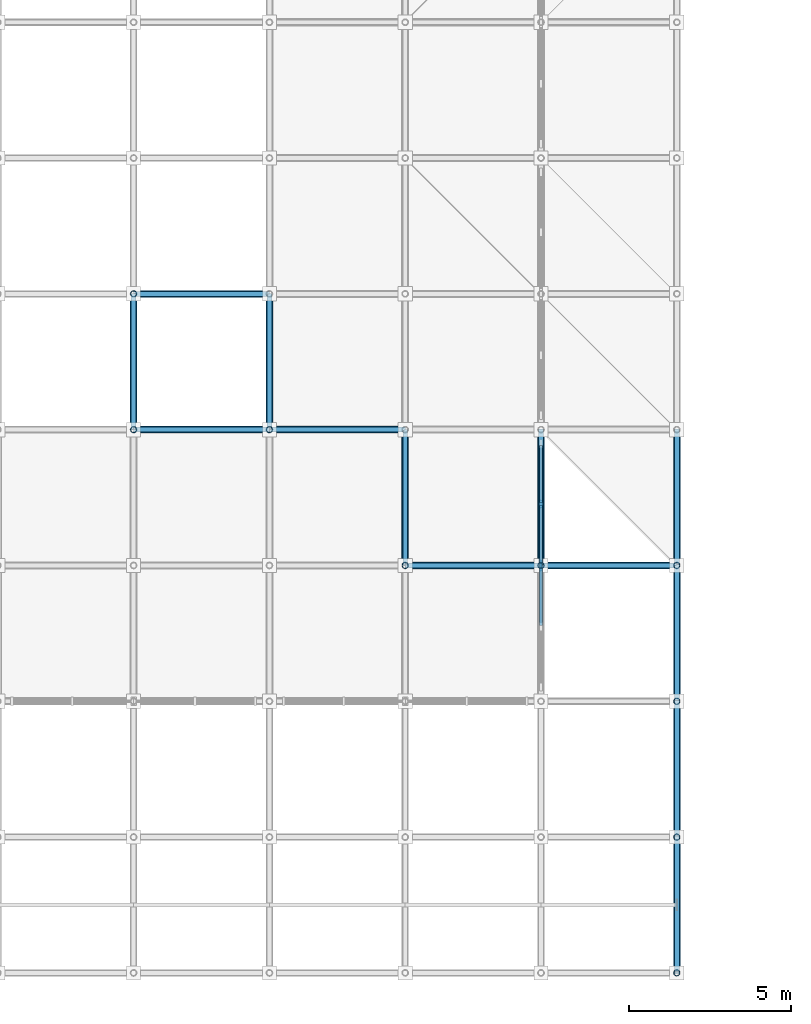
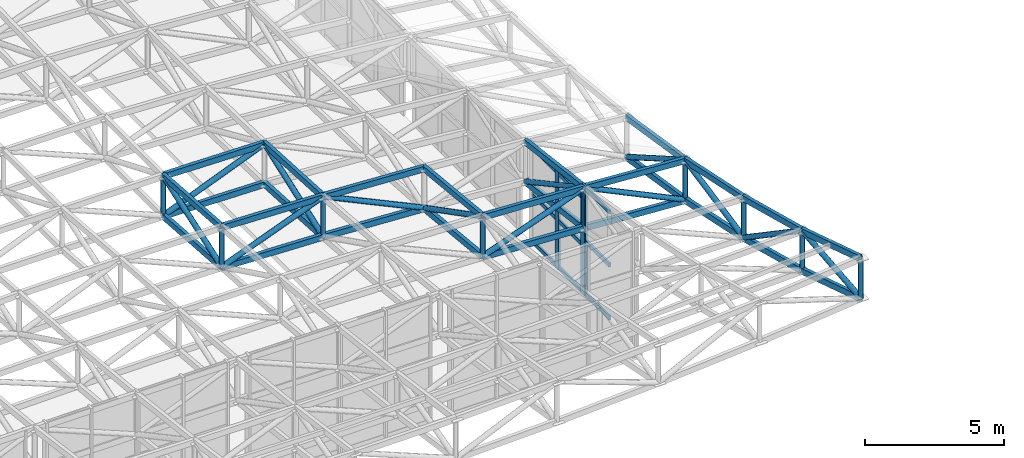
# One storey, part 23 of 132: 60 members, 2 elements without a shape of their own.
"""IFC4 building model written with IfcOpenShell, lengths in metres."""

from ifc_helpers import new_model, si_unit, direction, frame, origin, origin_2d, place, context, subcontext, project, spatial, rectangle, hollow_rectangle, hollow_circle, extrude, material, material_profile, profile_set, type_object, element, aggregate, save


model = new_model("IFC4")

# Units and contexts
model_context = context("Model", 3, precision=1e-05, world=origin(), true_north=direction((0.0, 1.0)))
body_context = subcontext(model_context, "Body", "Model", "MODEL_VIEW")
ifc_project = project(units=[si_unit("LENGTHUNIT", "METRE"), si_unit("AREAUNIT", "SQUARE_METRE"), si_unit("VOLUMEUNIT", "CUBIC_METRE"), si_unit("PLANEANGLEUNIT", "RADIAN"), si_unit("MASSUNIT", "GRAM", prefix="KILO")], contexts=[model_context])

# Site, building, storey
site_placement = place(None, origin())
site = spatial("IfcSite", under=ifc_project, at=site_placement, CompositionType="ELEMENT")
building_placement = place(site_placement, origin())
building = spatial("IfcBuilding", under=site, at=building_placement, Name="Cumbredor Promenade Congress Hotel", CompositionType="ELEMENT")
storey_placement = place(building_placement, frame((0.0, 0.0, 7.56005859375)))
storey = spatial("IfcBuildingStorey", under=building, at=storey_placement, Name="L02", CompositionType="ELEMENT", Elevation=7.56005859375)

# Curtain wall, member
ifc_material_1 = material(Name="Thermally broken anodized aluminium and low-E glass", Category="aluminium")
curtain_wall_type = type_object("IfcCurtainWallType", Name="Stepped Pavilion Clerestory Curtain Wall CW-06", PredefinedType="NOTDEFINED", material=ifc_material_1)
curtain_wall_1_placement = place(storey_placement, origin())
curtain_wall_1 = element("IfcCurtainWall", 1, at=curtain_wall_1_placement, inside=storey, type_object=curtain_wall_type, Name="Thermal Spa and Hydrotherapy Pavilion E Glazed Clerestory 1", PredefinedType="NOTDEFINED")
ifc_material_2 = material(Name="Thermally broken anodized aluminium", Category="aluminium")
ifc_material_profile_1 = material_profile(ifc_material_2, rectangle(XDim=0.0849609375, YDim=0.260009765625, at=origin_2d()), Name="ALU MULLION CLERESTORY 85x260")
ifc_profile_set_1 = profile_set([ifc_material_profile_1], Name="Thermally broken anodized aluminium")
member_type_1 = type_object("IfcMemberType", Name="Curtain Wall Mullion ML-04", PredefinedType="MULLION", material=ifc_profile_set_1)
member_1_placement = place(storey_placement, frame((109.199951171875, 12.56005859375, -0.01806640625), z_axis=(0.0, 0.0, 1.0), x_axis=(1.0, 0.0, 0.0)))
member_1 = element("IfcMember", 2, at=member_1_placement, type_object=member_type_1, Name="Thermal Spa and Hydrotherapy Pavilion E Glazed Clerestory 1 Mullion 3", PredefinedType="MULLION", context=body_context, shape_type="SweptSolid", body=[
    extrude(rectangle(XDim=0.0849609375, YDim=0.260009765625, at=origin_2d()), origin(), (0.0, 0.0, 1.0), 4.845947265625),
])

# Curtain wall, members
curtain_wall_2_placement = place(storey_placement, origin())
curtain_wall_2 = element("IfcCurtainWall", 3, at=curtain_wall_2_placement, inside=storey, type_object=curtain_wall_type, Name="Thermal Spa and Hydrotherapy Pavilion E Glazed Clerestory 2", PredefinedType="NOTDEFINED")
member_2_placement = place(storey_placement, frame((109.199951171875, 12.639892578125, -0.01806640625), z_axis=(0.0, 0.0, 1.0), x_axis=(1.0, 0.0, 0.0)))
member_2 = element("IfcMember", 4, at=member_2_placement, type_object=member_type_1, Name="Thermal Spa and Hydrotherapy Pavilion E Glazed Clerestory 2 Mullion 1", PredefinedType="MULLION", context=body_context, shape_type="SweptSolid", body=[
    extrude(rectangle(XDim=0.0849609375, YDim=0.260009765625, at=origin_2d()), origin(), (0.0, 0.0, 1.0), 4.318359375),
])
member_3_placement = place(storey_placement, frame((109.199951171875, 14.5, -0.01806640625), z_axis=(0.0, 0.0, 1.0), x_axis=(1.0, 0.0, 0.0)))
member_3 = element("IfcMember", 5, at=member_3_placement, type_object=member_type_1, Name="Thermal Spa and Hydrotherapy Pavilion E Glazed Clerestory 2 Mullion 2", PredefinedType="MULLION", context=body_context, shape_type="SweptSolid", body=[
    extrude(rectangle(XDim=0.0849609375, YDim=0.260009765625, at=origin_2d()), origin(), (0.0, 0.0, 1.0), 4.318359375),
])

# Member
ifc_material_profile_2 = material_profile(ifc_material_2, rectangle(XDim=0.080078125, YDim=0.179931640625, at=origin_2d()), Name="ALU TRANSOM 80x180")
ifc_profile_set_2 = profile_set([ifc_material_profile_2], Name="Thermally broken anodized aluminium")
member_type_2 = type_object("IfcMemberType", Name="Curtain Wall Transom TR-03", PredefinedType="USERDEFINED", material=ifc_profile_set_2)
member_4_placement = place(storey_placement, frame((109.199951171875, 10.742431640625, 0.079833984375), z_axis=(0.0, 1.0, 0.0), x_axis=(-1.0, 0.0, 0.0)))
member_4 = element("IfcMember", 6, at=member_4_placement, type_object=member_type_2, Name="Thermal Spa and Hydrotherapy Pavilion E Glazed Clerestory 1 Transom 2.1", ObjectType="TRANSOM", PredefinedType="USERDEFINED", context=body_context, shape_type="SweptSolid", body=[
    extrude(rectangle(XDim=0.080078125, YDim=0.179931640625, at=origin_2d()), origin(), (0.0, 0.0, 1.0), 1.775146484375),
])

member_5_placement = place(storey_placement, frame((109.199951171875, 10.742431640625, 2.39990234375), z_axis=(0.0, 1.0, 0.0), x_axis=(-1.0, 0.0, 0.0)))
member_5 = element("IfcMember", 7, at=member_5_placement, type_object=member_type_2, Name="Thermal Spa and Hydrotherapy Pavilion E Glazed Clerestory 1 Transom 2.2", ObjectType="TRANSOM", PredefinedType="USERDEFINED", context=body_context, shape_type="SweptSolid", body=[
    extrude(rectangle(XDim=0.080078125, YDim=0.179931640625, at=origin_2d()), origin(), (0.0, 0.0, 1.0), 1.775146484375),
])

member_6_placement = place(storey_placement, frame((109.199951171875, 10.742431640625, 4.72998046875), z_axis=(0.0, 1.0, 0.0), x_axis=(-1.0, 0.0, 0.0)))
member_6 = element("IfcMember", 8, at=member_6_placement, type_object=member_type_2, Name="Thermal Spa and Hydrotherapy Pavilion E Glazed Clerestory 1 Transom 2.3", ObjectType="TRANSOM", PredefinedType="USERDEFINED", context=body_context, shape_type="SweptSolid", body=[
    extrude(rectangle(XDim=0.080078125, YDim=0.179931640625, at=origin_2d()), origin(), (0.0, 0.0, 1.0), 1.775146484375),
])

aggregate(curtain_wall_1, [member_1, member_4, member_5, member_6])

member_7_placement = place(storey_placement, frame((109.199951171875, 12.6826171875, 0.079833984375), z_axis=(0.0, 1.0, 0.0), x_axis=(-1.0, 0.0, 0.0)))
member_7 = element("IfcMember", 9, at=member_7_placement, type_object=member_type_2, Name="Thermal Spa and Hydrotherapy Pavilion E Glazed Clerestory 2 Transom 1.1", ObjectType="TRANSOM", PredefinedType="USERDEFINED", context=body_context, shape_type="SweptSolid", body=[
    extrude(rectangle(XDim=0.080078125, YDim=0.179931640625, at=origin_2d()), origin(), (0.0, 0.0, 1.0), 1.77490234375),
])

member_8_placement = place(storey_placement, frame((109.199951171875, 12.6826171875, 2.139892578125), z_axis=(0.0, 1.0, 0.0), x_axis=(-1.0, 0.0, 0.0)))
member_8 = element("IfcMember", 10, at=member_8_placement, type_object=member_type_2, Name="Thermal Spa and Hydrotherapy Pavilion E Glazed Clerestory 2 Transom 1.2", ObjectType="TRANSOM", PredefinedType="USERDEFINED", context=body_context, shape_type="SweptSolid", body=[
    extrude(rectangle(XDim=0.080078125, YDim=0.179931640625, at=origin_2d()), origin(), (0.0, 0.0, 1.0), 1.77490234375),
])

member_9_placement = place(storey_placement, frame((109.199951171875, 12.6826171875, 4.199951171875), z_axis=(0.0, 1.0, 0.0), x_axis=(-1.0, 0.0, 0.0)))
member_9 = element("IfcMember", 11, at=member_9_placement, type_object=member_type_2, Name="Thermal Spa and Hydrotherapy Pavilion E Glazed Clerestory 2 Transom 1.3", ObjectType="TRANSOM", PredefinedType="USERDEFINED", context=body_context, shape_type="SweptSolid", body=[
    extrude(rectangle(XDim=0.080078125, YDim=0.179931640625, at=origin_2d()), origin(), (0.0, 0.0, 1.0), 1.77490234375),
])

member_10_placement = place(storey_placement, frame((109.199951171875, 14.54248046875, 0.079833984375), z_axis=(0.0, 1.0, 0.0), x_axis=(-1.0, 0.0, 0.0)))
member_10 = element("IfcMember", 12, at=member_10_placement, type_object=member_type_2, Name="Thermal Spa and Hydrotherapy Pavilion E Glazed Clerestory 2 Transom 2.1", ObjectType="TRANSOM", PredefinedType="USERDEFINED", context=body_context, shape_type="SweptSolid", body=[
    extrude(rectangle(XDim=0.080078125, YDim=0.179931640625, at=origin_2d()), origin(), (0.0, 0.0, 1.0), 1.77490234375),
])

member_11_placement = place(storey_placement, frame((109.199951171875, 14.54248046875, 2.139892578125), z_axis=(0.0, 1.0, 0.0), x_axis=(-1.0, 0.0, 0.0)))
member_11 = element("IfcMember", 13, at=member_11_placement, type_object=member_type_2, Name="Thermal Spa and Hydrotherapy Pavilion E Glazed Clerestory 2 Transom 2.2", ObjectType="TRANSOM", PredefinedType="USERDEFINED", context=body_context, shape_type="SweptSolid", body=[
    extrude(rectangle(XDim=0.080078125, YDim=0.179931640625, at=origin_2d()), origin(), (0.0, 0.0, 1.0), 1.77490234375),
])

member_12_placement = place(storey_placement, frame((109.199951171875, 14.54248046875, 4.199951171875), z_axis=(0.0, 1.0, 0.0), x_axis=(-1.0, 0.0, 0.0)))
member_12 = element("IfcMember", 14, at=member_12_placement, type_object=member_type_2, Name="Thermal Spa and Hydrotherapy Pavilion E Glazed Clerestory 2 Transom 2.3", ObjectType="TRANSOM", PredefinedType="USERDEFINED", context=body_context, shape_type="SweptSolid", body=[
    extrude(rectangle(XDim=0.080078125, YDim=0.179931640625, at=origin_2d()), origin(), (0.0, 0.0, 1.0), 1.77490234375),
])

aggregate(curtain_wall_2, [member_2, member_3, member_7, member_8, member_9, member_10, member_11, member_12])

# Members
ifc_material_3 = material(Name="Steel ASTM A500 Grade C", Category="steel")
ifc_material_profile_3 = material_profile(ifc_material_3, hollow_rectangle(XDim=0.14990234375, YDim=0.25, WallThickness=0.012451171875, at=origin_2d()), Name="HSS 250x150x12.5")
ifc_profile_set_3 = profile_set([ifc_material_profile_3], Name="Steel ASTM A500 Grade C")
member_type_3 = type_object("IfcMemberType", Name="Spa Roof Space Frame Chord", PredefinedType="CHORD", material=ifc_profile_set_3)
for number, where, z_axis, x_axis, name in (
    (15, (105.0, 12.60009765625, 4.8798828125), (0.99883532584, 0.0, -0.048249267905), (0.0, 1.0, 0.0), "Thermal Spa and Hydrotherapy Pavilion X Top Chord 9.4"),
    (16, (105.0, 12.60009765625, 3.1298828125), (0.99883532584, 0.0, -0.048249267905), (0.0, 1.0, 0.0), "Thermal Spa and Hydrotherapy Pavilion X Bottom Chord 9.4"),
):
    element("IfcMember", number, at=place(storey_placement, frame(where, z_axis=z_axis, x_axis=x_axis)), inside=storey, type_object=member_type_3, Name=name, PredefinedType="CHORD", context=body_context, shape_type="SweptSolid", body=[
        extrude(hollow_rectangle(XDim=0.14990234375, YDim=0.25, WallThickness=0.012451171875, at=origin_2d()), origin(), (0.0, 0.0, 1.0), 4.204833984375),
    ])
for number, where, z_axis, x_axis, name in (
    (17, (109.199951171875, 12.60009765625, 4.677001953125), (0.998114167579, 0.0, -0.061384920613), (0.0, 1.0, 0.0), "Thermal Spa and Hydrotherapy Pavilion X Top Chord 10.4"),
    (18, (109.199951171875, 12.60009765625, 2.927001953125), (0.998114167579, 0.0, -0.061384920613), (0.0, 1.0, 0.0), "Thermal Spa and Hydrotherapy Pavilion X Bottom Chord 10.4"),
):
    element("IfcMember", number, at=place(storey_placement, frame(where, z_axis=z_axis, x_axis=x_axis)), inside=storey, type_object=member_type_3, Name=name, PredefinedType="CHORD", context=body_context, shape_type="SweptSolid", body=[
        extrude(hollow_rectangle(XDim=0.14990234375, YDim=0.25, WallThickness=0.012451171875, at=origin_2d()), origin(), (0.0, 0.0, 1.0), 4.2080078125),
    ])
for number, where, z_axis, x_axis, name in (
    (19, (96.60009765625, 16.800048828125, 4.812744140625), (0.999502220604, 0.0, -0.031548550008), (0.0, 1.0, 0.0), "Thermal Spa and Hydrotherapy Pavilion X Top Chord 7.5"),
    (20, (96.60009765625, 16.800048828125, 3.062744140625), (0.999502220604, 0.0, -0.031548550008), (0.0, 1.0, 0.0), "Thermal Spa and Hydrotherapy Pavilion X Bottom Chord 7.5"),
):
    element("IfcMember", number, at=place(storey_placement, frame(where, z_axis=z_axis, x_axis=x_axis)), inside=storey, type_object=member_type_3, Name=name, PredefinedType="CHORD", context=body_context, shape_type="SweptSolid", body=[
        extrude(hollow_rectangle(XDim=0.14990234375, YDim=0.25, WallThickness=0.012451171875, at=origin_2d()), origin(), (0.0, 0.0, 1.0), 4.2021484375),
    ])
for number, where, z_axis, x_axis, name in (
    (21, (100.800048828125, 16.800048828125, 4.68017578125), (0.998616064852, 0.0, -0.052592347541), (0.0, 1.0, 0.0), "Thermal Spa and Hydrotherapy Pavilion X Top Chord 8.5"),
    (22, (100.800048828125, 16.800048828125, 2.93017578125), (0.998616064852, 0.0, -0.052592347541), (0.0, 1.0, 0.0), "Thermal Spa and Hydrotherapy Pavilion X Bottom Chord 8.5"),
):
    element("IfcMember", number, at=place(storey_placement, frame(where, z_axis=z_axis, x_axis=x_axis)), inside=storey, type_object=member_type_3, Name=name, PredefinedType="CHORD", context=body_context, shape_type="SweptSolid", body=[
        extrude(hollow_rectangle(XDim=0.14990234375, YDim=0.25, WallThickness=0.012451171875, at=origin_2d()), origin(), (0.0, 0.0, 1.0), 4.205810546875),
    ])
for number, where, z_axis, x_axis, name in (
    (23, (96.60009765625, 21.0, 4.513671875), (0.999886685019, 0.0, -0.015053807558), (0.0, 1.0, 0.0), "Thermal Spa and Hydrotherapy Pavilion X Top Chord 7.6"),
    (24, (96.60009765625, 21.0, 2.763671875), (0.999886685019, 0.0, -0.015053807558), (0.0, 1.0, 0.0), "Thermal Spa and Hydrotherapy Pavilion X Bottom Chord 7.6"),
):
    element("IfcMember", number, at=place(storey_placement, frame(where, z_axis=z_axis, x_axis=x_axis)), inside=storey, type_object=member_type_3, Name=name, PredefinedType="CHORD", context=body_context, shape_type="SweptSolid", body=[
        extrude(hollow_rectangle(XDim=0.14990234375, YDim=0.25, WallThickness=0.012451171875, at=origin_2d()), origin(), (0.0, 0.0, 1.0), 4.200439453125),
    ])
for number, where, z_axis, x_axis, name in (
    (25, (96.60009765625, 16.800048828125, 4.812744140625), (0.0, 0.997474275296, -0.07102865705), (-1.0, 0.0, 0.0), "Thermal Spa and Hydrotherapy Pavilion Y Top Chord 7.5"),
    (26, (96.60009765625, 16.800048828125, 3.062744140625), (0.0, 0.997474275296, -0.07102865705), (-1.0, 0.0, 0.0), "Thermal Spa and Hydrotherapy Pavilion Y Bottom Chord 7.5"),
):
    element("IfcMember", number, at=place(storey_placement, frame(where, z_axis=z_axis, x_axis=x_axis)), inside=storey, type_object=member_type_3, Name=name, PredefinedType="CHORD", context=body_context, shape_type="SweptSolid", body=[
        extrude(hollow_rectangle(XDim=0.14990234375, YDim=0.25, WallThickness=0.012451171875, at=origin_2d()), origin(), (0.0, 0.0, 1.0), 4.210693359375),
    ])
for number, where, z_axis, x_axis, name in (
    (27, (100.800048828125, 16.800048828125, 4.68017578125), (0.0, 0.998507316855, -0.054618112257), (-1.0, 0.0, 0.0), "Thermal Spa and Hydrotherapy Pavilion Y Top Chord 8.5"),
    (28, (100.800048828125, 16.800048828125, 2.93017578125), (0.0, 0.998507316855, -0.054618112257), (-1.0, 0.0, 0.0), "Thermal Spa and Hydrotherapy Pavilion Y Bottom Chord 8.5"),
):
    element("IfcMember", number, at=place(storey_placement, frame(where, z_axis=z_axis, x_axis=x_axis)), inside=storey, type_object=member_type_3, Name=name, PredefinedType="CHORD", context=body_context, shape_type="SweptSolid", body=[
        extrude(hollow_rectangle(XDim=0.14990234375, YDim=0.25, WallThickness=0.012451171875, at=origin_2d()), origin(), (0.0, 0.0, 1.0), 4.206298828125),
    ])
for number, where, z_axis, x_axis, name in (
    (29, (105.0, 12.60009765625, 4.8798828125), (0.0, 0.995015978857, -0.099715604694), (-1.0, 0.0, 0.0), "Thermal Spa and Hydrotherapy Pavilion Y Top Chord 9.4"),
    (30, (105.0, 12.60009765625, 3.1298828125), (0.0, 0.995015978857, -0.099715604694), (-1.0, 0.0, 0.0), "Thermal Spa and Hydrotherapy Pavilion Y Bottom Chord 9.4"),
):
    element("IfcMember", number, at=place(storey_placement, frame(where, z_axis=z_axis, x_axis=x_axis)), inside=storey, type_object=member_type_3, Name=name, PredefinedType="CHORD", context=body_context, shape_type="SweptSolid", body=[
        extrude(hollow_rectangle(XDim=0.14990234375, YDim=0.25, WallThickness=0.012451171875, at=origin_2d()), origin(), (0.0, 0.0, 1.0), 4.220947265625),
    ])
for number, where, z_axis, x_axis, name in (
    (31, (109.199951171875, 12.60009765625, 4.677001953125), (0.0, 0.992202270646, -0.124638092592), (-1.0, 0.0, 0.0), "Thermal Spa and Hydrotherapy Pavilion Y Top Chord 10.4"),
    (32, (109.199951171875, 12.60009765625, 2.927001953125), (0.0, 0.992202270646, -0.124638092592), (-1.0, 0.0, 0.0), "Thermal Spa and Hydrotherapy Pavilion Y Bottom Chord 10.4"),
):
    element("IfcMember", number, at=place(storey_placement, frame(where, z_axis=z_axis, x_axis=x_axis)), inside=storey, type_object=member_type_3, Name=name, PredefinedType="CHORD", context=body_context, shape_type="SweptSolid", body=[
        extrude(hollow_rectangle(XDim=0.14990234375, YDim=0.25, WallThickness=0.012451171875, at=origin_2d()), origin(), (0.0, 0.0, 1.0), 4.23291015625),
    ])
for number, where, z_axis, x_axis, name in (
    (33, (113.39990234375, 0.0, 7.749755859375), (0.0, 0.953016681797, -0.302917817594), (-1.0, 0.0, 0.0), "Thermal Spa and Hydrotherapy Pavilion Y Top Chord 11.1"),
    (34, (113.39990234375, 0.0, 5.999755859375), (0.0, 0.953016681797, -0.302917817594), (-1.0, 0.0, 0.0), "Thermal Spa and Hydrotherapy Pavilion Y Bottom Chord 11.1"),
):
    element("IfcMember", number, at=place(storey_placement, frame(where, z_axis=z_axis, x_axis=x_axis)), inside=storey, type_object=member_type_3, Name=name, PredefinedType="CHORD", context=body_context, shape_type="SweptSolid", body=[
        extrude(hollow_rectangle(XDim=0.14990234375, YDim=0.25, WallThickness=0.012451171875, at=origin_2d()), origin(), (0.0, 0.0, 1.0), 4.406982421875),
    ])
for number, where, z_axis, x_axis, name in (
    (35, (113.39990234375, 4.199951171875, 6.414794921875), (0.0, 0.966882060335, -0.255223591), (-1.0, 0.0, 0.0), "Thermal Spa and Hydrotherapy Pavilion Y Top Chord 11.2"),
    (36, (113.39990234375, 4.199951171875, 4.664794921875), (0.0, 0.966882060335, -0.255223591), (-1.0, 0.0, 0.0), "Thermal Spa and Hydrotherapy Pavilion Y Bottom Chord 11.2"),
):
    element("IfcMember", number, at=place(storey_placement, frame(where, z_axis=z_axis, x_axis=x_axis)), inside=storey, type_object=member_type_3, Name=name, PredefinedType="CHORD", context=body_context, shape_type="SweptSolid", body=[
        extrude(hollow_rectangle(XDim=0.14990234375, YDim=0.25, WallThickness=0.012451171875, at=origin_2d()), origin(), (0.0, 0.0, 1.0), 4.34375),
    ])
for number, where, z_axis, x_axis, name in (
    (37, (113.39990234375, 8.39990234375, 5.30615234375), (0.0, 0.978399278132, -0.206724097652), (-1.0, 0.0, 0.0), "Thermal Spa and Hydrotherapy Pavilion Y Top Chord 11.3"),
    (38, (113.39990234375, 8.39990234375, 3.55615234375), (0.0, 0.978399278132, -0.206724097652), (-1.0, 0.0, 0.0), "Thermal Spa and Hydrotherapy Pavilion Y Bottom Chord 11.3"),
):
    element("IfcMember", number, at=place(storey_placement, frame(where, z_axis=z_axis, x_axis=x_axis)), inside=storey, type_object=member_type_3, Name=name, PredefinedType="CHORD", context=body_context, shape_type="SweptSolid", body=[
        extrude(hollow_rectangle(XDim=0.14990234375, YDim=0.25, WallThickness=0.012451171875, at=origin_2d()), origin(), (0.0, 0.0, 1.0), 4.29296875),
    ])
for number, where, z_axis, x_axis, name in (
    (39, (113.39990234375, 12.60009765625, 4.418701171875), (0.0, 0.987676695168, -0.156507973669), (-1.0, 0.0, 0.0), "Thermal Spa and Hydrotherapy Pavilion Y Top Chord 11.4"),
    (40, (113.39990234375, 12.60009765625, 2.668701171875), (0.0, 0.987676695168, -0.156507973669), (-1.0, 0.0, 0.0), "Thermal Spa and Hydrotherapy Pavilion Y Bottom Chord 11.4"),
):
    element("IfcMember", number, at=place(storey_placement, frame(where, z_axis=z_axis, x_axis=x_axis)), inside=storey, type_object=member_type_3, Name=name, PredefinedType="CHORD", context=body_context, shape_type="SweptSolid", body=[
        extrude(hollow_rectangle(XDim=0.14990234375, YDim=0.25, WallThickness=0.012451171875, at=origin_2d()), origin(), (0.0, 0.0, 1.0), 4.25244140625),
    ])
ifc_material_profile_4 = material_profile(ifc_material_3, hollow_circle(Radius=0.109619140625, WallThickness=0.012451171875, at=origin_2d()), Name="CHS 219.1x12.5")
ifc_profile_set_4 = profile_set([ifc_material_profile_4], Name="Steel ASTM A500 Grade C")
member_type_4 = type_object("IfcMemberType", Name="Space Frame Web Diagonal D1", PredefinedType="BRACE", material=ifc_profile_set_4)
member_13_placement = place(storey_placement, frame((105.0, 12.60009765625, 3.1298828125), z_axis=(0.938359878721, 0.0, 0.34565985883), x_axis=(0.0, 1.0, 0.0)))
element("IfcMember", 41, at=member_13_placement, inside=storey, type_object=member_type_4, Name="Thermal Spa and Hydrotherapy Pavilion X Web Diagonal 9.4", PredefinedType="BRACE", context=body_context, shape_type="SweptSolid", body=[
    extrude(hollow_circle(Radius=0.109619140625, WallThickness=0.012451171875, at=origin_2d()), origin(), (0.0, 0.0, 1.0), 4.475830078125),
])
member_14_placement = place(storey_placement, frame((109.199951171875, 12.60009765625, 4.677001953125), z_axis=(0.902165281289, 0.0, -0.431390548386), x_axis=(0.0, 1.0, 0.0)))
element("IfcMember", 42, at=member_14_placement, inside=storey, type_object=member_type_4, Name="Thermal Spa and Hydrotherapy Pavilion X Web Diagonal 10.4", PredefinedType="BRACE", context=body_context, shape_type="SweptSolid", body=[
    extrude(hollow_circle(Radius=0.109619140625, WallThickness=0.012451171875, at=origin_2d()), origin(), (0.0, 0.0, 1.0), 4.655517578125),
])
member_15_placement = place(storey_placement, frame((96.60009765625, 16.800048828125, 3.062744140625), z_axis=(0.93319173071, 0.0, 0.359378899957), x_axis=(0.0, 1.0, 0.0)))
element("IfcMember", 43, at=member_15_placement, inside=storey, type_object=member_type_4, Name="Thermal Spa and Hydrotherapy Pavilion X Web Diagonal 7.5", PredefinedType="BRACE", context=body_context, shape_type="SweptSolid", body=[
    extrude(hollow_circle(Radius=0.109619140625, WallThickness=0.012451171875, at=origin_2d()), origin(), (0.0, 0.0, 1.0), 4.500732421875),
])
member_16_placement = place(storey_placement, frame((100.800048828125, 16.800048828125, 4.68017578125), z_axis=(0.905254705421, 0.0, -0.424869295563), x_axis=(0.0, 1.0, 0.0)))
element("IfcMember", 44, at=member_16_placement, inside=storey, type_object=member_type_4, Name="Thermal Spa and Hydrotherapy Pavilion X Web Diagonal 8.5", PredefinedType="BRACE", context=body_context, shape_type="SweptSolid", body=[
    extrude(hollow_circle(Radius=0.109619140625, WallThickness=0.012451171875, at=origin_2d()), origin(), (0.0, 0.0, 1.0), 4.639404296875),
])
member_17_placement = place(storey_placement, frame((96.60009765625, 21.0, 2.763671875), z_axis=(0.927958694838, 0.0, 0.372683056597), x_axis=(0.0, 1.0, 0.0)))
element("IfcMember", 45, at=member_17_placement, inside=storey, type_object=member_type_4, Name="Thermal Spa and Hydrotherapy Pavilion X Web Diagonal 7.6", PredefinedType="BRACE", context=body_context, shape_type="SweptSolid", body=[
    extrude(hollow_circle(Radius=0.109619140625, WallThickness=0.012451171875, at=origin_2d()), origin(), (0.0, 0.0, 1.0), 4.526123046875),
])
member_18_placement = place(storey_placement, frame((96.60009765625, 16.800048828125, 3.062744140625), z_axis=(0.0, 0.945187739001, 0.326527392483), x_axis=(-1.0, 0.0, 0.0)))
element("IfcMember", 46, at=member_18_placement, inside=storey, type_object=member_type_4, Name="Thermal Spa and Hydrotherapy Pavilion Y Web Diagonal 7.5", PredefinedType="BRACE", context=body_context, shape_type="SweptSolid", body=[
    extrude(hollow_circle(Radius=0.109619140625, WallThickness=0.012451171875, at=origin_2d()), origin(), (0.0, 0.0, 1.0), 4.443603515625),
])
member_19_placement = place(storey_placement, frame((100.800048828125, 16.800048828125, 2.93017578125), z_axis=(0.0, 0.940295107968, 0.340360264914), x_axis=(-1.0, 0.0, 0.0)))
element("IfcMember", 47, at=member_19_placement, inside=storey, type_object=member_type_4, Name="Thermal Spa and Hydrotherapy Pavilion Y Web Diagonal 8.5", PredefinedType="BRACE", context=body_context, shape_type="SweptSolid", body=[
    extrude(hollow_circle(Radius=0.109619140625, WallThickness=0.012451171875, at=origin_2d()), origin(), (0.0, 0.0, 1.0), 4.466552734375),
])
member_20_placement = place(storey_placement, frame((105.0, 12.60009765625, 4.8798828125), z_axis=(0.0, 0.888346221506, -0.459174248772), x_axis=(-1.0, 0.0, 0.0)))
element("IfcMember", 48, at=member_20_placement, inside=storey, type_object=member_type_4, Name="Thermal Spa and Hydrotherapy Pavilion Y Web Diagonal 9.4", PredefinedType="BRACE", context=body_context, shape_type="SweptSolid", body=[
    extrude(hollow_circle(Radius=0.109619140625, WallThickness=0.012451171875, at=origin_2d()), origin(), (0.0, 0.0, 1.0), 4.727783203125),
])
member_21_placement = place(storey_placement, frame((109.199951171875, 12.60009765625, 4.677001953125), z_axis=(0.0, 0.879062706315, -0.476706155159), x_axis=(-1.0, 0.0, 0.0)))
element("IfcMember", 49, at=member_21_placement, inside=storey, type_object=member_type_4, Name="Thermal Spa and Hydrotherapy Pavilion Y Web Diagonal 10.4", PredefinedType="BRACE", context=body_context, shape_type="SweptSolid", body=[
    extrude(hollow_circle(Radius=0.109619140625, WallThickness=0.012451171875, at=origin_2d()), origin(), (0.0, 0.0, 1.0), 4.77783203125),
])
member_22_placement = place(storey_placement, frame((113.39990234375, 0.0, 5.999755859375), z_axis=(0.0, 0.995152778935, 0.098340971004), x_axis=(-1.0, 0.0, 0.0)))
element("IfcMember", 50, at=member_22_placement, inside=storey, type_object=member_type_4, Name="Thermal Spa and Hydrotherapy Pavilion Y Web Diagonal 11.1", PredefinedType="BRACE", context=body_context, shape_type="SweptSolid", body=[
    extrude(hollow_circle(Radius=0.109619140625, WallThickness=0.012451171875, at=origin_2d()), origin(), (0.0, 0.0, 1.0), 4.220458984375),
])
member_23_placement = place(storey_placement, frame((113.39990234375, 4.199951171875, 6.414794921875), z_axis=(0.0, 0.826681524464, -0.56267011393), x_axis=(-1.0, 0.0, 0.0)))
element("IfcMember", 51, at=member_23_placement, inside=storey, type_object=member_type_4, Name="Thermal Spa and Hydrotherapy Pavilion Y Web Diagonal 11.2", PredefinedType="BRACE", context=body_context, shape_type="SweptSolid", body=[
    extrude(hollow_circle(Radius=0.109619140625, WallThickness=0.012451171875, at=origin_2d()), origin(), (0.0, 0.0, 1.0), 5.08056640625),
])
member_24_placement = place(storey_placement, frame((113.39990234375, 8.39990234375, 3.55615234375), z_axis=(0.0, 0.979558132164, 0.201161292777), x_axis=(-1.0, 0.0, 0.0)))
element("IfcMember", 52, at=member_24_placement, inside=storey, type_object=member_type_4, Name="Thermal Spa and Hydrotherapy Pavilion Y Web Diagonal 11.3", PredefinedType="BRACE", context=body_context, shape_type="SweptSolid", body=[
    extrude(hollow_circle(Radius=0.109619140625, WallThickness=0.012451171875, at=origin_2d()), origin(), (0.0, 0.0, 1.0), 4.287841796875),
])
member_25_placement = place(storey_placement, frame((113.39990234375, 12.60009765625, 4.418701171875), z_axis=(0.0, 0.866856760976, -0.498557274493), x_axis=(-1.0, 0.0, 0.0)))
element("IfcMember", 53, at=member_25_placement, inside=storey, type_object=member_type_4, Name="Thermal Spa and Hydrotherapy Pavilion Y Web Diagonal 11.4", PredefinedType="BRACE", context=body_context, shape_type="SweptSolid", body=[
    extrude(hollow_circle(Radius=0.109619140625, WallThickness=0.012451171875, at=origin_2d()), origin(), (0.0, 0.0, 1.0), 4.844970703125),
])
ifc_material_profile_5 = material_profile(ifc_material_3, hollow_circle(Radius=0.096923828125, WallThickness=0.010009765625, at=origin_2d()), Name="CHS 193.7x10")
ifc_profile_set_5 = profile_set([ifc_material_profile_5], Name="Steel ASTM A500 Grade C")
member_type_5 = type_object("IfcMemberType", Name="Space Frame Web Post P1", PredefinedType="BRACE", material=ifc_profile_set_5)
for number, where, z_axis, x_axis, name in (
    (54, (96.60009765625, 16.800048828125, 3.062744140625), (0.0, 0.0, 1.0), (1.0, 0.0, 0.0), "Thermal Spa and Hydrotherapy Pavilion Space Frame Web Post 7.5"),
    (55, (96.60009765625, 21.0, 2.763671875), (0.0, 0.0, 1.0), (1.0, 0.0, 0.0), "Thermal Spa and Hydrotherapy Pavilion Space Frame Web Post 7.6"),
    (56, (100.800048828125, 16.800048828125, 2.93017578125), (0.0, 0.0, 1.0), (1.0, 0.0, 0.0), "Thermal Spa and Hydrotherapy Pavilion Space Frame Web Post 8.5"),
    (57, (105.0, 12.60009765625, 3.1298828125), (0.0, 0.0, 1.0), (1.0, 0.0, 0.0), "Thermal Spa and Hydrotherapy Pavilion Space Frame Web Post 9.4"),
    (58, (109.199951171875, 12.60009765625, 2.927001953125), (0.0, 0.0, 1.0), (1.0, 0.0, 0.0), "Thermal Spa and Hydrotherapy Pavilion Space Frame Web Post 10.4"),
    (59, (113.39990234375, 0.0, 5.999755859375), (0.0, 0.0, 1.0), (1.0, 0.0, 0.0), "Thermal Spa and Hydrotherapy Pavilion Space Frame Web Post 11.1"),
    (60, (113.39990234375, 4.199951171875, 4.664794921875), (0.0, 0.0, 1.0), (1.0, 0.0, 0.0), "Thermal Spa and Hydrotherapy Pavilion Space Frame Web Post 11.2"),
    (61, (113.39990234375, 8.39990234375, 3.55615234375), (0.0, 0.0, 1.0), (1.0, 0.0, 0.0), "Thermal Spa and Hydrotherapy Pavilion Space Frame Web Post 11.3"),
    (62, (113.39990234375, 12.60009765625, 2.668701171875), (0.0, 0.0, 1.0), (1.0, 0.0, 0.0), "Thermal Spa and Hydrotherapy Pavilion Space Frame Web Post 11.4"),
):
    element("IfcMember", number, at=place(storey_placement, frame(where, z_axis=z_axis, x_axis=x_axis)), inside=storey, type_object=member_type_5, Name=name, PredefinedType="BRACE", context=body_context, shape_type="SweptSolid", body=[
        extrude(hollow_circle(Radius=0.096923828125, WallThickness=0.010009765625, at=origin_2d()), origin(), (0.0, 0.0, 1.0), 1.75),
    ])

save(model, "model.ifc")
